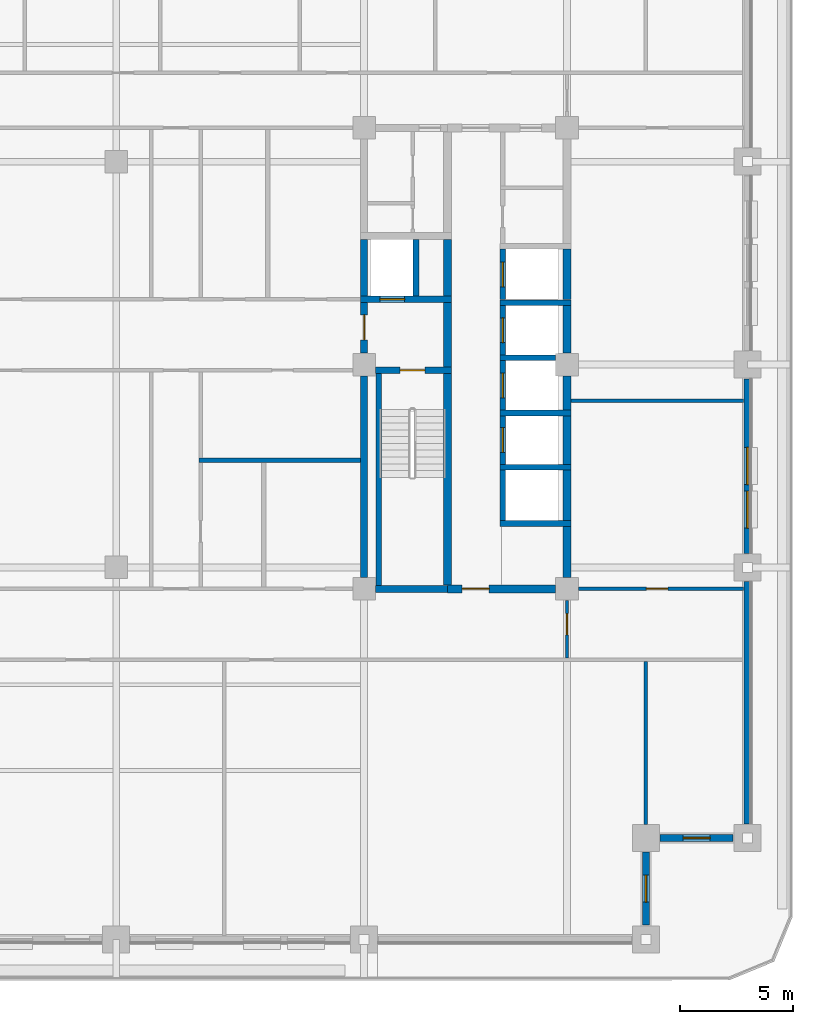
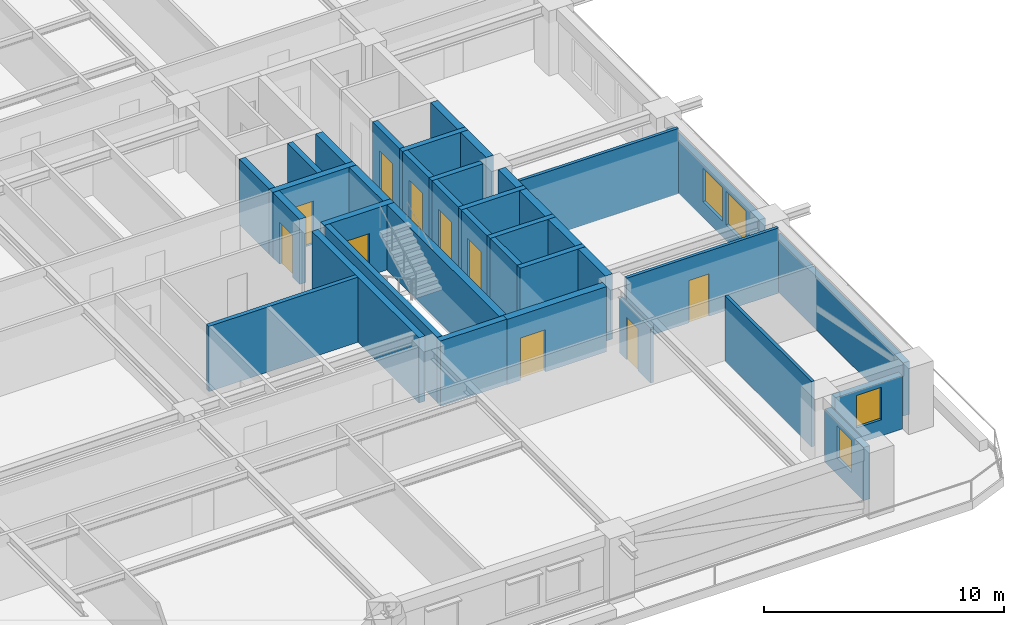
# One storey, part 4 of 14: 37 walls, 10 doors, 4 windows, 14 openings.
"""IFC4 building model written with IfcOpenShell, lengths in metres."""

import ifcopenshell
import ifcopenshell.guid

model = None  # the IFC model being written
_history = None  # IfcOwnerHistory: only IFC2X3 demands one
_inside = {}  # id of a spatial element -> (the spatial element, [elements in it])
_under = {}  # id of a project, library or spatial element -> (it, [spatial elements below it])
_declared = {}  # id of a project -> (the project, [libraries it declares])
_typed = {}  # id of a type object -> (the type object, [elements of that type])
_made_of = {}  # id of a material, layer set ... -> (it, [elements and type objects made of it])


def new_model(schema):
    """Start an empty IFC model of exactly this schema.

    Asked for "IFC4X3", IfcOpenShell would pick the latest addendum, in which some entities
    have other attributes; the version numbers below select the first issue.
    IFC2X3 requires an IfcOwnerHistory on every rooted entity: one is made here for all.
    """
    global model, _history
    if schema == "IFC4X3":
        model = ifcopenshell.file(schema_version=(4, 3, 0, 0))
    else:
        model = ifcopenshell.file(schema=schema)
    _inside.clear()
    _under.clear()
    _declared.clear()
    _typed.clear()
    _made_of.clear()
    _history = None
    if model.schema == "IFC2X3":
        org = make("IfcOrganization", Name="unknown")
        user = make(
            "IfcPersonAndOrganization",
            ThePerson=make("IfcPerson", FamilyName="unknown"),
            TheOrganization=org,
        )
        app = make(
            "IfcApplication",
            ApplicationDeveloper=org,
            Version="unknown",
            ApplicationFullName="unknown",
            ApplicationIdentifier="unknown",
        )
        _history = make(
            "IfcOwnerHistory",
            OwningUser=user,
            OwningApplication=app,
            ChangeAction="ADDED",
            CreationDate=0,
        )
    return model


def make(cls, **values):
    """One entity of the class cls with the attributes given. An attribute that is None is left unset."""
    return model.create_entity(
        cls, **{name: value for name, value in values.items() if value is not None}
    )


def rooted(cls, **values):
    """An entity with a GlobalId (a new one), such as an element, a storey or a relation."""
    return make(cls, GlobalId=ifcopenshell.guid.new(), OwnerHistory=_history, **values)


def si_unit(unit_type, name, prefix=None):
    """IfcSIUnit, for example si_unit("LENGTHUNIT", "METRE", prefix="MILLI")."""
    return make("IfcSIUnit", UnitType=unit_type, Prefix=prefix, Name=name)


def assignment(units):
    """IfcUnitAssignment: the units of a project."""
    return None if units is None else make("IfcUnitAssignment", Units=units)


def point(xyz):
    """IfcCartesianPoint."""
    return None if xyz is None else make("IfcCartesianPoint", Coordinates=xyz)


def direction(xyz):
    """IfcDirection."""
    return None if xyz is None else make("IfcDirection", DirectionRatios=xyz)


def frame(location, z_axis=None, x_axis=None):
    """IfcAxis2Placement3D, a coordinate frame: its origin and axes. An axis left out is left unset."""
    return make(
        "IfcAxis2Placement3D",
        Location=point(location),
        Axis=direction(z_axis),
        RefDirection=direction(x_axis),
    )


def frame_2d(location, x_axis=None):
    """IfcAxis2Placement2D, a coordinate frame in the plane: its origin and x axis."""
    return make(
        "IfcAxis2Placement2D", Location=point(location), RefDirection=direction(x_axis)
    )


def origin():
    """The frame at (0, 0, 0) with its axes left unset."""
    return frame((0.0, 0.0, 0.0))


def place(relative_to, where):
    """IfcLocalPlacement: puts the frame where relative to a parent placement (None: the world)."""
    return make(
        "IfcLocalPlacement", PlacementRelTo=relative_to, RelativePlacement=where
    )


def context(
    kind, dimensions, precision=None, world=None, true_north=None, identifier=None
):
    """IfcGeometricRepresentationContext, for example the 3D "Model" context."""
    return make(
        "IfcGeometricRepresentationContext",
        ContextIdentifier=identifier,
        ContextType=kind,
        CoordinateSpaceDimension=dimensions,
        Precision=precision,
        WorldCoordinateSystem=world,
        TrueNorth=true_north,
    )


def subcontext(parent, identifier, kind, view, scale=None):
    """IfcGeometricRepresentationSubContext, for example "Body" below "Model"."""
    return make(
        "IfcGeometricRepresentationSubContext",
        ContextIdentifier=identifier,
        ContextType=kind,
        ParentContext=parent,
        TargetScale=scale,
        TargetView=view,
    )


def project(units=None, contexts=None):
    """IfcProject with its units and contexts."""
    return rooted(
        "IfcProject",
        Name="project",
        RepresentationContexts=contexts,
        UnitsInContext=assignment(units),
    )


def spatial(cls, under=None, at=None, **own):
    """A site, building, storey or space (cls), placed at a placement, below another one or the project."""
    s = rooted(cls, ObjectPlacement=at, **own)
    if under is not None:
        _under.setdefault(under.id(), (under, []))[1].append(s)
    return s


def profile(cls, at=None, kind="AREA", **sizes):
    """A parametric profile (cls). Its sizes go by their IFC names, for example OverallWidth=200.0."""
    return make(cls, ProfileType=kind, Position=at, **sizes)


def rectangle(**sizes):
    """IfcRectangleProfileDef."""
    return profile("IfcRectangleProfileDef", **sizes)


def extrude(swept, where, along, depth):
    """IfcExtrudedAreaSolid: the profile swept, set in the frame where, extruded along a direction by depth."""
    return make(
        "IfcExtrudedAreaSolid",
        SweptArea=swept,
        Position=where,
        ExtrudedDirection=direction(along),
        Depth=depth,
    )


def shape(context_of_items, identifier, shape_type, items):
    """IfcShapeRepresentation: the items that make up one representation, for example the "Body"."""
    return make(
        "IfcShapeRepresentation",
        ContextOfItems=context_of_items,
        RepresentationIdentifier=identifier,
        RepresentationType=shape_type,
        Items=items,
    )


def material(Name=None, Category=None):
    """IfcMaterial."""
    return make("IfcMaterial", Name=Name, Category=Category)


def layer(
    of_material, thickness, ventilated=None, Name=None, Category=None, Priority=None
):
    """IfcMaterialLayer: one layer of a wall or slab, of a material (None: an air gap)."""
    return make(
        "IfcMaterialLayer",
        Material=of_material,
        LayerThickness=thickness,
        IsVentilated=ventilated,
        Name=Name,
        Category=Category,
        Priority=Priority,
    )


def layer_set(layers, Name=None):
    """IfcMaterialLayerSet."""
    return make("IfcMaterialLayerSet", MaterialLayers=layers, LayerSetName=Name)


def made_of(thing, what):
    """Note that an element or type object is made of a material, layer set ...; save() writes the relation."""
    if what is not None:
        _made_of.setdefault(what.id(), (what, []))[1].append(thing)
    return thing


def type_object(cls, material=None, **own):
    """A type object (cls), such as IfcWallType, which elements share."""
    return made_of(rooted(cls, **own), material)


def element(
    cls,
    number,
    at=None,
    inside=None,
    cuts=None,
    type_object=None,
    material=None,
    context=None,
    identifier="Body",
    shape_type=None,
    held_by="IfcProductDefinitionShape",
    body=None,
    shapes=None,
    **own,
):
    """One element of the class cls, such as IfcWall. Its Tag is "e" and its number.

    at: its placement. inside: the storey or other place that contains it. cuts: it is an
    opening in that element (IfcRelVoidsElement). A single representation is given by context,
    identifier, shape_type and body (its items); several are given by shapes. held_by: the class
    of the entity that holds the representations. save() writes the other relations.
    """
    e = rooted(cls, Tag="e%d" % number, ObjectPlacement=at, **own)
    if body is not None:
        shapes = [shape(context, identifier, shape_type, body)]
    if shapes is not None:
        e.Representation = make(held_by, Representations=shapes)
    if inside is not None:
        _inside.setdefault(inside.id(), (inside, []))[1].append(e)
    if cuts is not None:
        rooted(
            "IfcRelVoidsElement", RelatingBuildingElement=cuts, RelatedOpeningElement=e
        )
    if type_object is not None:
        _typed.setdefault(type_object.id(), (type_object, []))[1].append(e)
    return made_of(e, material)


def fill(opening, filler):
    """IfcRelFillsElement: the door or window that sits in an opening."""
    return rooted(
        "IfcRelFillsElement",
        RelatingOpeningElement=opening,
        RelatedBuildingElement=filler,
    )


def aggregate(whole, parts):
    """IfcRelAggregates: a whole, such as a stair, and the parts it consists of."""
    return rooted("IfcRelAggregates", RelatingObject=whole, RelatedObjects=parts)


def save(model, path):
    """Write the relations noted so far, then the file.

    IfcRelAggregates (storeys below a building ...), IfcRelContainedInSpatialStructure (elements
    in a storey), IfcRelDefinesByType, IfcRelAssociatesMaterial and IfcRelDeclares: one each for
    every whole, place, type object, material and project.
    """
    for whole, parts in _under.values():
        aggregate(whole, parts)
    for where, things in _inside.values():
        rooted(
            "IfcRelContainedInSpatialStructure",
            RelatedElements=things,
            RelatingStructure=where,
        )
    for kind, things in _typed.values():
        rooted("IfcRelDefinesByType", RelatedObjects=things, RelatingType=kind)
    for what, things in _made_of.values():
        rooted("IfcRelAssociatesMaterial", RelatedObjects=things, RelatingMaterial=what)
    for by, libraries in _declared.values():
        rooted("IfcRelDeclares", RelatingContext=by, RelatedDefinitions=libraries)
    model.write(path)


model = new_model("IFC4")

# Units and contexts
model_context = context("Model", 3, precision=1e-05, world=origin(), true_north=direction((0.0, 1.0)))
body_context = subcontext(model_context, "Body", "Model", "MODEL_VIEW")
ifc_project = project(units=[si_unit("LENGTHUNIT", "METRE"), si_unit("AREAUNIT", "SQUARE_METRE"), si_unit("VOLUMEUNIT", "CUBIC_METRE"), si_unit("PLANEANGLEUNIT", "RADIAN"), si_unit("MASSUNIT", "GRAM", prefix="KILO")], contexts=[model_context])

# Site, building, storey
site_placement = place(None, origin())
site = spatial("IfcSite", under=ifc_project, at=site_placement, CompositionType="ELEMENT")
building_placement = place(site_placement, origin())
building = spatial("IfcBuilding", under=site, at=building_placement, Name="Zulmaris Gate Convention Tower", CompositionType="ELEMENT")
storey_placement = place(building_placement, frame((0.0, 0.0, 102.06982421875)))
storey = spatial("IfcBuildingStorey", under=building, at=storey_placement, Name="L25", CompositionType="ELEMENT", Elevation=102.06982421875)

# Walls
ifc_material_1 = material(Name="Concrete C50/60", Category="concrete")
ifc_layer_1 = layer(ifc_material_1, 0.25, Name="Concrete C50/60")
ifc_layer_set_1 = layer_set([ifc_layer_1], Name="Concrete C50/60")
wall_type_1 = type_object("IfcWallType", Name="CORE-250", PredefinedType="SOLIDWALL", material=ifc_layer_set_1)
for number, where, z_axis, x_axis, name in (
    (1, (17.02490234375, -7.050048828125, 0.0), (0.0, 0.0, 1.0), (1.0, 0.0, 0.0), "WL-L25-005"),
    (2, (17.02490234375, -4.550048828125, 0.0), (0.0, 0.0, 1.0), (1.0, 0.0, 0.0), "WL-L25-006"),
    (3, (17.02490234375, -2.14990234375, 0.0), (0.0, 0.0, 1.0), (1.0, 0.0, 0.0), "WL-L25-007"),
):
    element("IfcWall", number, at=place(storey_placement, frame(where, z_axis=z_axis, x_axis=x_axis)), inside=storey, type_object=wall_type_1, Name=name, PredefinedType="SOLIDWALL", context=body_context, shape_type="SweptSolid", body=[
        extrude(rectangle(XDim=3.150146484375, YDim=0.25, at=frame_2d((1.5751953125, 0.0))), origin(), (0.0, 0.0, 1.0), 3.320068359375),
    ])
wall_1_placement = place(storey_placement, frame((17.02490234375, 0.300048828125, 0.0), z_axis=(0.0, 0.0, 1.0), x_axis=(1.0, 0.0, 0.0)))
element("IfcWall", 4, at=wall_1_placement, inside=storey, type_object=wall_type_1, Name="WL-L25-010", PredefinedType="SOLIDWALL", context=body_context, shape_type="SweptSolid", body=[
    extrude(rectangle(XDim=2.47119140625, YDim=0.25, at=frame_2d((1.235595703125, 0.0))), origin(), (0.0, 0.0, 1.0), 3.320068359375),
])
wall_2_placement = place(storey_placement, frame((17.02490234375, 2.75, 0.0), z_axis=(0.0, 0.0, 1.0), x_axis=(1.0, 0.0, 0.0)))
element("IfcWall", 5, at=wall_2_placement, inside=storey, type_object=wall_type_1, Name="WL-L25-011", PredefinedType="SOLIDWALL", context=body_context, shape_type="SweptSolid", body=[
    extrude(rectangle(XDim=3.150146484375, YDim=0.25, at=frame_2d((1.5751953125, 0.0))), origin(), (0.0, 0.0, 1.0), 3.320068359375),
])
wall_3_placement = place(storey_placement, frame((11.64990234375, -9.798095703125, 0.0), z_axis=(0.0, 0.0, 1.0), x_axis=(0.0, 1.0, 0.0)))
element("IfcWall", 6, at=wall_3_placement, inside=storey, type_object=wall_type_1, Name="WL-L25-054", PredefinedType="SOLIDWALL", context=body_context, shape_type="SweptSolid", body=[
    extrude(rectangle(XDim=9.39599609375, YDim=0.25, at=frame_2d((4.697998046875, 0.0))), origin(), (0.0, 0.0, 1.0), 3.320068359375),
])
wall_4_placement = place(storey_placement, frame((13.300048828125, 3.052001953125, 0.0), z_axis=(0.0, 0.0, 1.0), x_axis=(0.0, 1.0, 0.0)))
element("IfcWall", 7, at=wall_4_placement, inside=storey, type_object=wall_type_1, Name="WL-L25-055", PredefinedType="SOLIDWALL", context=body_context, shape_type="SweptSolid", body=[
    extrude(rectangle(XDim=2.49609375, YDim=0.25, at=frame_2d((1.248046875, 0.0))), origin(), (0.0, 0.0, 1.0), 3.320068359375),
])
wall_5_placement = place(storey_placement, frame((17.14990234375, -6.923095703125, 0.0), z_axis=(0.0, 0.0, 1.0), x_axis=(0.0, 1.0, 0.0)))
element("IfcWall", 8, at=wall_5_placement, inside=storey, type_object=wall_type_1, Name="WL-L25-060", PredefinedType="SOLIDWALL", context=body_context, shape_type="SweptSolid", body=[
    extrude(rectangle(XDim=2.24609375, YDim=0.25, at=frame_2d((1.123046875, 0.0))), origin(), (0.0, 0.0, 1.0), 3.320068359375),
])

# Wall, opening, door
wall_6_placement = place(storey_placement, frame((17.14990234375, -4.423095703125, 0.0), z_axis=(0.0, 0.0, 1.0), x_axis=(0.0, 1.0, 0.0)))
wall_6 = element("IfcWall", 9, at=wall_6_placement, inside=storey, type_object=wall_type_1, Name="WL-L25-061", PredefinedType="SOLIDWALL", context=body_context, shape_type="SweptSolid", body=[
    extrude(rectangle(XDim=2.14599609375, YDim=0.25, at=frame_2d((1.072998046875, 0.0))), origin(), (0.0, 0.0, 1.0), 3.320068359375),
])
opening_1_placement = place(wall_6_placement, frame((0.52294921875, 0.0, 0.0)))
opening_1 = element("IfcOpeningElement", 10, at=opening_1_placement, cuts=wall_6, Name="Opening D-06", PredefinedType="OPENING", context=body_context, shape_type="SweptSolid", body=[
    extrude(rectangle(XDim=1.10009765625, YDim=2.199951171875, at=frame_2d((0.550048828125, 1.10009765625))), frame((0.0, 0.135009765625, 0.0), z_axis=(0.0, -1.0, 0.0), x_axis=(1.0, 0.0, 0.0)), (0.0, 0.0, 1.0), 0.27001953125),
])
ifc_material_2 = material(Name="Brushed Stainless Steel", Category="steel")
door_type_1 = type_object("IfcDoorType", Name="LD-1100", OperationType="NOTDEFINED", PredefinedType="DOOR", material=ifc_material_2)
door_1_placement = place(opening_1_placement, origin())
door_1 = element("IfcDoor", 11, at=door_1_placement, inside=storey, type_object=door_type_1, Name="L25 Lift Landing Door MP-01 17", OperationType="SLIDING_TO_RIGHT", OverallHeight=2.199951171875, OverallWidth=1.10009765625, PredefinedType="DOOR", context=body_context, shape_type="SweptSolid", body=[
    extrude(rectangle(XDim=1.10009765625, YDim=2.199951171875, at=frame_2d((0.550048828125, 1.10009765625))), frame((0.0, 0.02490234375, 0.0), z_axis=(0.0, -1.0, 0.0), x_axis=(1.0, 0.0, 0.0)), (0.0, 0.0, 1.0), 0.050048828125),
])
fill(opening_1, door_1)

wall_7_placement = place(storey_placement, frame((17.14990234375, -2.02294921875, 0.0), z_axis=(0.0, 0.0, 1.0), x_axis=(0.0, 1.0, 0.0)))
wall_7 = element("IfcWall", 12, at=wall_7_placement, inside=storey, type_object=wall_type_1, Name="WL-L25-062", PredefinedType="SOLIDWALL", context=body_context, shape_type="SweptSolid", body=[
    extrude(rectangle(XDim=2.196044921875, YDim=0.25, at=frame_2d((1.09814453125, 0.0))), origin(), (0.0, 0.0, 1.0), 3.320068359375),
])
opening_2_placement = place(wall_7_placement, frame((0.548095703125, 0.0, 0.0)))
opening_2 = element("IfcOpeningElement", 13, at=opening_2_placement, cuts=wall_7, Name="Opening D-06", PredefinedType="OPENING", context=body_context, shape_type="SweptSolid", body=[
    extrude(rectangle(XDim=1.10009765625, YDim=2.199951171875, at=frame_2d((0.550048828125, 1.10009765625))), frame((0.0, 0.135009765625, 0.0), z_axis=(0.0, -1.0, 0.0), x_axis=(1.0, 0.0, 0.0)), (0.0, 0.0, 1.0), 0.27001953125),
])
door_2_placement = place(opening_2_placement, origin())
door_2 = element("IfcDoor", 14, at=door_2_placement, inside=storey, type_object=door_type_1, Name="L25 Lift Landing Door MP-02 18", OperationType="SLIDING_TO_RIGHT", OverallHeight=2.199951171875, OverallWidth=1.10009765625, PredefinedType="DOOR", context=body_context, shape_type="SweptSolid", body=[
    extrude(rectangle(XDim=1.10009765625, YDim=2.199951171875, at=frame_2d((0.550048828125, 1.10009765625))), frame((0.0, 0.02490234375, 0.0), z_axis=(0.0, -1.0, 0.0), x_axis=(1.0, 0.0, 0.0)), (0.0, 0.0, 1.0), 0.050048828125),
])
fill(opening_2, door_2)

wall_8_placement = place(storey_placement, frame((17.14990234375, 0.427001953125, 0.0), z_axis=(0.0, 0.0, 1.0), x_axis=(0.0, 1.0, 0.0)))
wall_8 = element("IfcWall", 15, at=wall_8_placement, inside=storey, type_object=wall_type_1, Name="WL-L25-063", PredefinedType="SOLIDWALL", context=body_context, shape_type="SweptSolid", body=[
    extrude(rectangle(XDim=2.196044921875, YDim=0.25, at=frame_2d((1.09814453125, 0.0))), origin(), (0.0, 0.0, 1.0), 3.320068359375),
])
opening_3_placement = place(wall_8_placement, frame((0.548095703125, 0.0, 0.0)))
opening_3 = element("IfcOpeningElement", 16, at=opening_3_placement, cuts=wall_8, Name="Opening D-06", PredefinedType="OPENING", context=body_context, shape_type="SweptSolid", body=[
    extrude(rectangle(XDim=1.10009765625, YDim=2.199951171875, at=frame_2d((0.550048828125, 1.10009765625))), frame((0.0, 0.135009765625, 0.0), z_axis=(0.0, -1.0, 0.0), x_axis=(1.0, 0.0, 0.0)), (0.0, 0.0, 1.0), 0.27001953125),
])
door_3_placement = place(opening_3_placement, origin())
door_3 = element("IfcDoor", 17, at=door_3_placement, inside=storey, type_object=door_type_1, Name="L25 Lift Landing Door MP-03 19", OperationType="SLIDING_TO_RIGHT", OverallHeight=2.199951171875, OverallWidth=1.10009765625, PredefinedType="DOOR", context=body_context, shape_type="SweptSolid", body=[
    extrude(rectangle(XDim=1.10009765625, YDim=2.199951171875, at=frame_2d((0.550048828125, 1.10009765625))), frame((0.0, 0.02490234375, 0.0), z_axis=(0.0, -1.0, 0.0), x_axis=(1.0, 0.0, 0.0)), (0.0, 0.0, 1.0), 0.050048828125),
])
fill(opening_3, door_3)

wall_9_placement = place(storey_placement, frame((17.14990234375, 2.876953125, 0.0), z_axis=(0.0, 0.0, 1.0), x_axis=(0.0, 1.0, 0.0)))
wall_9 = element("IfcWall", 18, at=wall_9_placement, inside=storey, type_object=wall_type_1, Name="WL-L25-064", PredefinedType="SOLIDWALL", context=body_context, shape_type="SweptSolid", body=[
    extrude(rectangle(XDim=2.24609375, YDim=0.25, at=frame_2d((1.123046875, 0.0))), origin(), (0.0, 0.0, 1.0), 3.320068359375),
])
opening_4_placement = place(wall_9_placement, frame((0.572998046875, 0.0, 0.0)))
opening_4 = element("IfcOpeningElement", 19, at=opening_4_placement, cuts=wall_9, Name="Opening D-06", PredefinedType="OPENING", context=body_context, shape_type="SweptSolid", body=[
    extrude(rectangle(XDim=1.10009765625, YDim=2.199951171875, at=frame_2d((0.550048828125, 1.10009765625))), frame((0.0, 0.135009765625, 0.0), z_axis=(0.0, -1.0, 0.0), x_axis=(1.0, 0.0, 0.0)), (0.0, 0.0, 1.0), 0.27001953125),
])
door_4_placement = place(opening_4_placement, origin())
door_4 = element("IfcDoor", 20, at=door_4_placement, inside=storey, type_object=door_type_1, Name="L25 Lift Landing Door MP-04 20", OperationType="SLIDING_TO_RIGHT", OverallHeight=2.199951171875, OverallWidth=1.10009765625, PredefinedType="DOOR", context=body_context, shape_type="SweptSolid", body=[
    extrude(rectangle(XDim=1.10009765625, YDim=2.199951171875, at=frame_2d((0.550048828125, 1.10009765625))), frame((0.0, 0.02490234375, 0.0), z_axis=(0.0, -1.0, 0.0), x_axis=(1.0, 0.0, 0.0)), (0.0, 0.0, 1.0), 0.050048828125),
])
fill(opening_4, door_4)

# Wall
ifc_layer_2 = layer(ifc_material_1, 0.300048828125, Name="Concrete C50/60")
ifc_layer_set_2 = layer_set([ifc_layer_2], Name="Concrete C50/60")
wall_type_2 = type_object("IfcWallType", Name="CORE-300", PredefinedType="SHEAR", material=ifc_layer_set_2)
wall_10_placement = place(storey_placement, frame((11.50390625, -9.949951171875, 0.0), z_axis=(0.0, 0.0, 1.0), x_axis=(1.0, 0.0, 0.0)))
element("IfcWall", 21, at=wall_10_placement, inside=storey, type_object=wall_type_2, Name="WL-L25-003", PredefinedType="SHEAR", context=body_context, shape_type="SweptSolid", body=[
    extrude(rectangle(XDim=3.196044921875, YDim=0.300048828125, at=frame_2d((1.59814453125, 0.0))), origin(), (0.0, 0.0, 1.0), 3.320068359375),
])

# Wall, opening, door
wall_11_placement = place(storey_placement, frame((11.50390625, -0.25, 0.0), z_axis=(0.0, 0.0, 1.0), x_axis=(1.0, 0.0, 0.0)))
wall_11 = element("IfcWall", 22, at=wall_11_placement, inside=storey, type_object=wall_type_2, Name="WL-L25-009", PredefinedType="SHEAR", context=body_context, shape_type="SweptSolid", body=[
    extrude(rectangle(XDim=3.37109375, YDim=0.300048828125, at=frame_2d((1.685546875, 0.0))), origin(), (0.0, 0.0, 1.0), 3.320068359375),
])
opening_5_placement = place(wall_11_placement, frame((1.095947265625, 0.0, 0.0)))
opening_5 = element("IfcOpeningElement", 23, at=opening_5_placement, cuts=wall_11, Name="Opening D-08", PredefinedType="OPENING", context=body_context, shape_type="SweptSolid", body=[
    extrude(rectangle(XDim=1.10009765625, YDim=2.14990234375, at=frame_2d((0.550048828125, 1.074951171875))), frame((0.0, 0.16015625, 0.0), z_axis=(0.0, -1.0, 0.0), x_axis=(1.0, 0.0, 0.0)), (0.0, 0.0, 1.0), 0.320068359375),
])
ifc_material_3 = material(Name="Fire-Rated Steel", Category="steel")
door_type_2 = type_object("IfcDoorType", Name="DR-1100-FD", OperationType="NOTDEFINED", PredefinedType="DOOR", material=ifc_material_3)
door_5_placement = place(opening_5_placement, origin())
door_5 = element("IfcDoor", 24, at=door_5_placement, inside=storey, type_object=door_type_2, Name="L25 Exit Stair ST-2 Door 04", OperationType="SINGLE_SWING_RIGHT", OverallHeight=2.14990234375, OverallWidth=1.10009765625, PredefinedType="DOOR", context=body_context, shape_type="SweptSolid", body=[
    extrude(rectangle(XDim=1.10009765625, YDim=2.14990234375, at=frame_2d((0.550048828125, 1.074951171875))), frame((0.0, 0.02490234375, 0.0), z_axis=(0.0, -1.0, 0.0), x_axis=(1.0, 0.0, 0.0)), (0.0, 0.0, 1.0), 0.050048828125),
])
fill(opening_5, door_5)

wall_12_placement = place(storey_placement, frame((10.85009765625, 2.89990234375, 0.0), z_axis=(0.0, 0.0, 1.0), x_axis=(1.0, 0.0, 0.0)))
wall_12 = element("IfcWall", 25, at=wall_12_placement, inside=storey, type_object=wall_type_2, Name="WL-L25-013", PredefinedType="SHEAR", context=body_context, shape_type="SweptSolid", body=[
    extrude(rectangle(XDim=4.02490234375, YDim=0.300048828125, at=frame_2d((2.012451171875, 0.0))), origin(), (0.0, 0.0, 1.0), 3.320068359375),
])
opening_6_placement = place(wall_12_placement, frame((0.85009765625, 0.0, 0.0)))
opening_6 = element("IfcOpeningElement", 26, at=opening_6_placement, cuts=wall_12, Name="Opening D-06", PredefinedType="OPENING", context=body_context, shape_type="SweptSolid", body=[
    extrude(rectangle(XDim=1.10009765625, YDim=2.199951171875, at=frame_2d((0.550048828125, 1.10009765625))), frame((0.0, 0.16015625, 0.0), z_axis=(0.0, -1.0, 0.0), x_axis=(1.0, 0.0, 0.0)), (0.0, 0.0, 1.0), 0.320068359375),
])
door_6_placement = place(opening_6_placement, origin())
door_6 = element("IfcDoor", 27, at=door_6_placement, inside=storey, type_object=door_type_1, Name="L25 Lift Landing Door LF-02 06", OperationType="SLIDING_TO_RIGHT", OverallHeight=2.199951171875, OverallWidth=1.10009765625, PredefinedType="DOOR", context=body_context, shape_type="SweptSolid", body=[
    extrude(rectangle(XDim=1.10009765625, YDim=2.199951171875, at=frame_2d((0.550048828125, 1.10009765625))), frame((0.0, 0.02490234375, 0.0), z_axis=(0.0, -1.0, 0.0), x_axis=(1.0, 0.0, 0.0)), (0.0, 0.0, 1.0), 0.050048828125),
])
fill(opening_6, door_6)

# Wall
wall_13_placement = place(storey_placement, frame((11.0, -9.446044921875, 0.0), z_axis=(0.0, 0.0, 1.0), x_axis=(0.0, 1.0, 0.0)))
element("IfcWall", 28, at=wall_13_placement, inside=storey, type_object=wall_type_2, Name="WL-L25-050", PredefinedType="SHEAR", context=body_context, shape_type="SweptSolid", body=[
    extrude(rectangle(XDim=8.942138671875, YDim=0.300048828125, at=frame_2d((4.47119140625, 0.0))), origin(), (0.0, 0.0, 1.0), 3.320068359375),
])

# Wall, opening, door
wall_14_placement = place(storey_placement, frame((11.0, 0.50390625, 0.0), z_axis=(0.0, 0.0, 1.0), x_axis=(0.0, 1.0, 0.0)))
wall_14 = element("IfcWall", 29, at=wall_14_placement, inside=storey, type_object=wall_type_2, Name="WL-L25-051", PredefinedType="SHEAR", context=body_context, shape_type="SweptSolid", body=[
    extrude(rectangle(XDim=2.244140625, YDim=0.300048828125, at=frame_2d((1.1220703125, 0.0))), origin(), (0.0, 0.0, 1.0), 3.320068359375),
])
opening_7_placement = place(wall_14_placement, frame((0.595947265625, 0.0, 0.0)))
opening_7 = element("IfcOpeningElement", 30, at=opening_7_placement, cuts=wall_14, Name="Opening D-08", PredefinedType="OPENING", context=body_context, shape_type="SweptSolid", body=[
    extrude(rectangle(XDim=1.10009765625, YDim=2.14990234375, at=frame_2d((0.550048828125, 1.074951171875))), frame((0.0, 0.16015625, 0.0), z_axis=(0.0, -1.0, 0.0), x_axis=(1.0, 0.0, 0.0)), (0.0, 0.0, 1.0), 0.320068359375),
])
door_7_placement = place(opening_7_placement, origin())
door_7 = element("IfcDoor", 31, at=door_7_placement, inside=storey, type_object=door_type_2, Name="L25 East Firefighting Lobby Door 05", OperationType="SINGLE_SWING_LEFT", OverallHeight=2.14990234375, OverallWidth=1.10009765625, PredefinedType="DOOR", context=body_context, shape_type="SweptSolid", body=[
    extrude(rectangle(XDim=1.10009765625, YDim=2.14990234375, at=frame_2d((0.550048828125, 1.074951171875))), frame((0.0, 0.02490234375, 0.0), z_axis=(0.0, -1.0, 0.0), x_axis=(1.0, 0.0, 0.0)), (0.0, 0.0, 1.0), 0.050048828125),
])
fill(opening_7, door_7)

# Wall
wall_15_placement = place(storey_placement, frame((11.0, 3.052001953125, 0.0), z_axis=(0.0, 0.0, 1.0), x_axis=(0.0, 1.0, 0.0)))
element("IfcWall", 32, at=wall_15_placement, inside=storey, type_object=wall_type_2, Name="WL-L25-052", PredefinedType="SHEAR", context=body_context, shape_type="SweptSolid", body=[
    extrude(rectangle(XDim=2.49609375, YDim=0.300048828125, at=frame_2d((1.248046875, 0.0))), origin(), (0.0, 0.0, 1.0), 3.320068359375),
])

# Wall, opening, door
ifc_material_4 = material(Name="Concrete C55/67", Category="concrete")
ifc_layer_3 = layer(ifc_material_4, 0.35009765625, Name="Concrete C55/67")
ifc_layer_set_3 = layer_set([ifc_layer_3], Name="Concrete C55/67")
wall_type_3 = type_object("IfcWallType", Name="CORE-350", PredefinedType="SHEAR", material=ifc_layer_set_3)
wall_16_placement = place(storey_placement, frame((14.699951171875, -9.949951171875, 0.0), z_axis=(0.0, 0.0, 1.0), x_axis=(1.0, 0.0, 0.0)))
wall_16 = element("IfcWall", 33, at=wall_16_placement, inside=storey, type_object=wall_type_3, Name="WL-L25-004", PredefinedType="SHEAR", context=body_context, shape_type="SweptSolid", body=[
    extrude(rectangle(XDim=4.796142578125, YDim=0.35009765625, at=frame_2d((2.39794921875, 0.0))), origin(), (0.0, 0.0, 1.0), 3.320068359375),
])
opening_8_placement = place(wall_16_placement, frame((0.64990234375, 0.0, 0.0)))
opening_8 = element("IfcOpeningElement", 34, at=opening_8_placement, cuts=wall_16, Name="Opening D-13", PredefinedType="OPENING", context=body_context, shape_type="SweptSolid", body=[
    extrude(rectangle(XDim=1.199951171875, YDim=2.14990234375, at=frame_2d((0.60009765625, 1.074951171875))), frame((0.0, 0.18505859375, 0.0), z_axis=(0.0, -1.0, 0.0), x_axis=(1.0, 0.0, 0.0)), (0.0, 0.0, 1.0), 0.3701171875),
])
door_type_3 = type_object("IfcDoorType", Name="DR-1200-FD", OperationType="NOTDEFINED", PredefinedType="DOOR", material=ifc_material_3)
door_8_placement = place(opening_8_placement, origin())
door_8 = element("IfcDoor", 35, at=door_8_placement, inside=storey, type_object=door_type_3, Name="L25 East Lift Lobby South Door 21", OperationType="SINGLE_SWING_RIGHT", OverallHeight=2.14990234375, OverallWidth=1.199951171875, PredefinedType="DOOR", context=body_context, shape_type="SweptSolid", body=[
    extrude(rectangle(XDim=1.199951171875, YDim=2.14990234375, at=frame_2d((0.60009765625, 1.074951171875))), frame((0.0, 0.02490234375, 0.0), z_axis=(0.0, -1.0, 0.0), x_axis=(1.0, 0.0, 0.0)), (0.0, 0.0, 1.0), 0.050048828125),
])
fill(opening_8, door_8)

# Walls
wall_17_placement = place(storey_placement, frame((14.699951171875, -9.77294921875, 0.0), z_axis=(0.0, 0.0, 1.0), x_axis=(0.0, 1.0, 0.0)))
element("IfcWall", 36, at=wall_17_placement, inside=storey, type_object=wall_type_3, Name="WL-L25-056", PredefinedType="SHEAR", context=body_context, shape_type="SweptSolid", body=[
    extrude(rectangle(XDim=9.370849609375, YDim=0.35009765625, at=frame_2d((4.685546875, 0.0))), origin(), (0.0, 0.0, 1.0), 3.320068359375),
])
wall_18_placement = place(storey_placement, frame((14.699951171875, -0.097900390625, 0.0), z_axis=(0.0, 0.0, 1.0), x_axis=(0.0, 1.0, 0.0)))
element("IfcWall", 37, at=wall_18_placement, inside=storey, type_object=wall_type_3, Name="WL-L25-057", PredefinedType="SHEAR", context=body_context, shape_type="SweptSolid", body=[
    extrude(rectangle(XDim=2.845947265625, YDim=0.35009765625, at=frame_2d((1.4228515625, 0.0))), origin(), (0.0, 0.0, 1.0), 3.320068359375),
])
wall_19_placement = place(storey_placement, frame((14.699951171875, 3.052001953125, 0.0), z_axis=(0.0, 0.0, 1.0), x_axis=(0.0, 1.0, 0.0)))
element("IfcWall", 38, at=wall_19_placement, inside=storey, type_object=wall_type_3, Name="WL-L25-058", PredefinedType="SHEAR", context=body_context, shape_type="SweptSolid", body=[
    extrude(rectangle(XDim=2.49609375, YDim=0.35009765625, at=frame_2d((1.248046875, 0.0))), origin(), (0.0, 0.0, 1.0), 3.320068359375),
])
wall_20_placement = place(storey_placement, frame((20.0, -9.446044921875, 0.0), z_axis=(0.0, 0.0, 1.0), x_axis=(0.0, 1.0, 0.0)))
element("IfcWall", 39, at=wall_20_placement, inside=storey, type_object=wall_type_3, Name="WL-L25-065", PredefinedType="SHEAR", context=body_context, shape_type="SweptSolid", body=[
    extrude(rectangle(XDim=2.26904296875, YDim=0.35009765625, at=frame_2d((1.134521484375, 0.0))), origin(), (0.0, 0.0, 1.0), 3.320068359375),
])
wall_21_placement = place(storey_placement, frame((20.0, -6.923095703125, 0.0), z_axis=(0.0, 0.0, 1.0), x_axis=(0.0, 1.0, 0.0)))
element("IfcWall", 40, at=wall_21_placement, inside=storey, type_object=wall_type_3, Name="WL-L25-066", PredefinedType="SHEAR", context=body_context, shape_type="SweptSolid", body=[
    extrude(rectangle(XDim=2.24609375, YDim=0.35009765625, at=frame_2d((1.123046875, 0.0))), origin(), (0.0, 0.0, 1.0), 3.320068359375),
])
wall_22_placement = place(storey_placement, frame((20.0, -4.423095703125, 0.0), z_axis=(0.0, 0.0, 1.0), x_axis=(0.0, 1.0, 0.0)))
element("IfcWall", 41, at=wall_22_placement, inside=storey, type_object=wall_type_3, Name="WL-L25-067", PredefinedType="SHEAR", context=body_context, shape_type="SweptSolid", body=[
    extrude(rectangle(XDim=2.14599609375, YDim=0.35009765625, at=frame_2d((1.072998046875, 0.0))), origin(), (0.0, 0.0, 1.0), 3.320068359375),
])
wall_23_placement = place(storey_placement, frame((20.0, -2.02294921875, 0.0), z_axis=(0.0, 0.0, 1.0), x_axis=(0.0, 1.0, 0.0)))
element("IfcWall", 42, at=wall_23_placement, inside=storey, type_object=wall_type_3, Name="WL-L25-068", PredefinedType="SHEAR", context=body_context, shape_type="SweptSolid", body=[
    extrude(rectangle(XDim=1.51904296875, YDim=0.35009765625, at=frame_2d((0.759521484375, 0.0))), origin(), (0.0, 0.0, 1.0), 3.320068359375),
])
wall_24_placement = place(storey_placement, frame((20.0, 0.50390625, 0.0), z_axis=(0.0, 0.0, 1.0), x_axis=(0.0, 1.0, 0.0)))
element("IfcWall", 43, at=wall_24_placement, inside=storey, type_object=wall_type_3, Name="WL-L25-069", PredefinedType="SHEAR", context=body_context, shape_type="SweptSolid", body=[
    extrude(rectangle(XDim=2.119140625, YDim=0.35009765625, at=frame_2d((1.0595703125, 0.0))), origin(), (0.0, 0.0, 1.0), 3.320068359375),
])
wall_25_placement = place(storey_placement, frame((20.0, 2.876953125, 0.0), z_axis=(0.0, 0.0, 1.0), x_axis=(0.0, 1.0, 0.0)))
element("IfcWall", 44, at=wall_25_placement, inside=storey, type_object=wall_type_3, Name="WL-L25-070", PredefinedType="SHEAR", context=body_context, shape_type="SweptSolid", body=[
    extrude(rectangle(XDim=2.24609375, YDim=0.35009765625, at=frame_2d((1.123046875, 0.0))), origin(), (0.0, 0.0, 1.0), 3.320068359375),
])

# Wall, opening, door
ifc_material_5 = material(Name="Gypsum Metal Stud Partition")
ifc_layer_4 = layer(ifc_material_5, 0.14990234375, Name="Gypsum Metal Stud Partition")
ifc_layer_set_4 = layer_set([ifc_layer_4], Name="Gypsum Metal Stud Partition")
wall_type_4 = type_object("IfcWallType", Name="PART-150", PredefinedType="PARTITIONING", material=ifc_layer_set_4)
wall_26_placement = place(storey_placement, frame((20.506103515625, -9.949951171875, 0.0), z_axis=(0.0, 0.0, 1.0), x_axis=(1.0, 0.0, 0.0)))
wall_26 = element("IfcWall", 45, at=wall_26_placement, inside=storey, type_object=wall_type_4, Name="WL-L25-024", PredefinedType="PARTITIONING", context=body_context, shape_type="SweptSolid", body=[
    extrude(rectangle(XDim=7.328857421875, YDim=0.14990234375, at=frame_2d((3.66455078125, 0.0))), origin(), (0.0, 0.0, 1.0), 3.320068359375),
])
opening_9_placement = place(wall_26_placement, frame((3.01904296875, 0.0, 0.0)))
opening_9 = element("IfcOpeningElement", 46, at=opening_9_placement, cuts=wall_26, Name="Opening D-11", PredefinedType="OPENING", context=body_context, shape_type="SweptSolid", body=[
    extrude(rectangle(XDim=0.949951171875, YDim=2.14990234375, at=frame_2d((0.47509765625, 1.074951171875))), frame((0.0, 0.0849609375, 0.0), z_axis=(0.0, -1.0, 0.0), x_axis=(1.0, 0.0, 0.0)), (0.0, 0.0, 1.0), 0.169921875),
])
ifc_material_6 = material(Name="Fire-Rated Timber", Category="wood")
door_type_4 = type_object("IfcDoorType", Name="DR-950-FD", OperationType="NOTDEFINED", PredefinedType="DOOR", material=ifc_material_6)
door_9_placement = place(opening_9_placement, origin())
door_9 = element("IfcDoor", 47, at=door_9_placement, inside=storey, type_object=door_type_4, Name="L25 SE Partner Door 52", OperationType="SINGLE_SWING_LEFT", OverallHeight=2.14990234375, OverallWidth=0.949951171875, PredefinedType="DOOR", context=body_context, shape_type="SweptSolid", body=[
    extrude(rectangle(XDim=0.949951171875, YDim=2.14990234375, at=frame_2d((0.47509765625, 1.074951171875))), frame((0.0, 0.02490234375, 0.0), z_axis=(0.0, -1.0, 0.0), x_axis=(1.0, 0.0, 0.0)), (0.0, 0.0, 1.0), 0.050048828125),
])
fill(opening_9, door_9)

# Wall
wall_27_placement = place(storey_placement, frame((20.177978515625, -1.60009765625, 0.0), z_axis=(0.0, 0.0, 1.0), x_axis=(1.0, 0.0, 0.0)))
element("IfcWall", 48, at=wall_27_placement, inside=storey, type_object=wall_type_4, Name="WL-L25-026", PredefinedType="PARTITIONING", context=body_context, shape_type="SweptSolid", body=[
    extrude(rectangle(XDim=7.656982421875, YDim=0.14990234375, at=frame_2d((3.82861328125, 0.0))), origin(), (0.0, 0.0, 1.0), 3.320068359375),
])

# Wall, opening, door
wall_28_placement = place(storey_placement, frame((20.0, -13.02197265625, 0.0), z_axis=(0.0, 0.0, 1.0), x_axis=(0.0, 1.0, 0.0)))
wall_28 = element("IfcWall", 49, at=wall_28_placement, inside=storey, type_object=wall_type_4, Name="WL-L25-098", PredefinedType="PARTITIONING", context=body_context, shape_type="SweptSolid", body=[
    extrude(rectangle(XDim=2.56591796875, YDim=0.14990234375, at=frame_2d((1.282958984375, 0.0))), origin(), (0.0, 0.0, 1.0), 2.81005859375),
])
opening_10_placement = place(wall_28_placement, frame((1.027099609375, 0.0, 0.0)))
opening_10 = element("IfcOpeningElement", 50, at=opening_10_placement, cuts=wall_28, Name="Opening D-11", PredefinedType="OPENING", context=body_context, shape_type="SweptSolid", body=[
    extrude(rectangle(XDim=0.949951171875, YDim=2.14990234375, at=frame_2d((0.47509765625, 1.074951171875))), frame((0.0, 0.0849609375, 0.0), z_axis=(0.0, -1.0, 0.0), x_axis=(1.0, 0.0, 0.0)), (0.0, 0.0, 1.0), 0.169921875),
])
door_10_placement = place(opening_10_placement, origin())
door_10 = element("IfcDoor", 51, at=door_10_placement, inside=storey, type_object=door_type_4, Name="L25 SE Spur Door 50", OperationType="SINGLE_SWING_LEFT", OverallHeight=2.14990234375, OverallWidth=0.949951171875, PredefinedType="DOOR", context=body_context, shape_type="SweptSolid", body=[
    extrude(rectangle(XDim=0.949951171875, YDim=2.14990234375, at=frame_2d((0.47509765625, 1.074951171875))), frame((0.0, 0.02490234375, 0.0), z_axis=(0.0, -1.0, 0.0), x_axis=(1.0, 0.0, 0.0)), (0.0, 0.0, 1.0), 0.050048828125),
])
fill(opening_10, door_10)

# Walls
wall_29_placement = place(storey_placement, frame((23.5, -20.39404296875, 0.0), z_axis=(0.0, 0.0, 1.0), x_axis=(0.0, 1.0, 0.0)))
element("IfcWall", 52, at=wall_29_placement, inside=storey, type_object=wall_type_4, Name="WL-L25-100", PredefinedType="PARTITIONING", context=body_context, shape_type="SweptSolid", body=[
    extrude(rectangle(XDim=7.216064453125, YDim=0.14990234375, at=frame_2d((3.60791015625, 0.0))), origin(), (0.0, 0.0, 1.0), 3.320068359375),
])
ifc_material_7 = material(Name="Autoclaved Aerated Concrete Block and Plasterboard", Category="concrete")
ifc_layer_5 = layer(ifc_material_7, 0.199951171875, Name="Autoclaved Aerated Concrete Block and Plasterboard")
ifc_layer_set_5 = layer_set([ifc_layer_5], Name="Autoclaved Aerated Concrete Block and Plasterboard")
wall_type_5 = type_object("IfcWallType", Name="PART-200", PredefinedType="PARTITIONING", material=ifc_layer_set_5)
wall_30_placement = place(storey_placement, frame((3.675048828125, -4.25, 0.0), z_axis=(0.0, 0.0, 1.0), x_axis=(1.0, 0.0, 0.0)))
element("IfcWall", 53, at=wall_30_placement, inside=storey, type_object=wall_type_5, Name="WL-L25-025", PredefinedType="PARTITIONING", context=body_context, shape_type="SweptSolid", body=[
    extrude(rectangle(XDim=7.171875, YDim=0.199951171875, at=frame_2d((3.5859375, 0.0))), origin(), (0.0, 0.0, 1.0), 3.320068359375),
])

# Wall, opening, window
ifc_material_8 = material(Name="Precast concrete C40/50", Category="concrete")
ifc_layer_6 = layer(ifc_material_8, 0.300048828125, Name="Precast concrete C40/50")
ifc_layer_set_6 = layer_set([ifc_layer_6], Name="Precast concrete C40/50")
wall_type_6 = type_object("IfcWallType", Name="PRECAST-PIER-300", PredefinedType="STANDARD", material=ifc_layer_set_6)
wall_31_placement = place(storey_placement, frame((23.5, -24.8701171875, 0.0), z_axis=(0.0, 0.0, 1.0), x_axis=(0.0, 1.0, 0.0)))
wall_31 = element("IfcWall", 54, at=wall_31_placement, inside=storey, type_object=wall_type_6, Name="EW-L25-NOTCH-SE1_0", PredefinedType="STANDARD", context=body_context, shape_type="SweptSolid", body=[
    extrude(rectangle(XDim=3.240234375, YDim=0.300048828125, at=frame_2d((1.6201171875, 0.0))), origin(), (0.0, 0.0, 1.0), 2.712158203125),
])
opening_11_placement = place(wall_31_placement, frame((1.02001953125, 0.0, 0.820068359375)))
opening_11 = element("IfcOpeningElement", 55, at=opening_11_placement, cuts=wall_31, Name="Opening W-04", PredefinedType="OPENING", context=body_context, shape_type="SweptSolid", body=[
    extrude(rectangle(XDim=1.199951171875, YDim=1.64990234375, at=frame_2d((0.60009765625, 0.824951171875))), frame((0.0, 0.16015625, 0.0), z_axis=(0.0, -1.0, 0.0), x_axis=(1.0, 0.0, 0.0)), (0.0, 0.0, 1.0), 0.320068359375),
])
ifc_material_9 = material(Name="Low-E Laminated Double Glazing in Aluminium Frame", Category="aluminium")
window_type_1 = type_object("IfcWindowType", Name="WIN-1200x2100", PartitioningType="SINGLE_PANEL", PredefinedType="WINDOW", material=ifc_material_9)
window_1_placement = place(opening_11_placement, origin())
window_1 = element("IfcWindow", 56, at=window_1_placement, inside=storey, type_object=window_type_1, Name="WN-EW-L25-NOTCH-SE1_0", OverallHeight=1.64990234375, OverallWidth=1.199951171875, PartitioningType="SINGLE_PANEL", PredefinedType="WINDOW", context=body_context, shape_type="SweptSolid", body=[
    extrude(rectangle(XDim=1.199951171875, YDim=1.64990234375, at=frame_2d((0.60009765625, 0.824951171875))), frame((0.0, 0.030029296875, 0.0), z_axis=(0.0, -1.0, 0.0), x_axis=(1.0, 0.0, 0.0)), (0.0, 0.0, 1.0), 0.06005859375),
])
fill(opening_11, window_1)

wall_32_placement = place(storey_placement, frame((24.1298828125, -21.0, 0.0), z_axis=(0.0, 0.0, 1.0), x_axis=(1.0, 0.0, 0.0)))
wall_32 = element("IfcWall", 57, at=wall_32_placement, inside=storey, type_object=wall_type_6, Name="EW-L25-NOTCH-SE2_0", PredefinedType="STANDARD", context=body_context, shape_type="SweptSolid", body=[
    extrude(rectangle(XDim=3.240234375, YDim=0.300048828125, at=frame_2d((1.6201171875, 0.0))), origin(), (0.0, 0.0, 1.0), 2.712158203125),
])
opening_12_placement = place(wall_32_placement, frame((1.02001953125, 0.0, 0.820068359375)))
opening_12 = element("IfcOpeningElement", 58, at=opening_12_placement, cuts=wall_32, Name="Opening W-04", PredefinedType="OPENING", context=body_context, shape_type="SweptSolid", body=[
    extrude(rectangle(XDim=1.199951171875, YDim=1.64990234375, at=frame_2d((0.60009765625, 0.824951171875))), frame((0.0, 0.16015625, 0.0), z_axis=(0.0, -1.0, 0.0), x_axis=(1.0, 0.0, 0.0)), (0.0, 0.0, 1.0), 0.320068359375),
])
window_2_placement = place(opening_12_placement, origin())
window_2 = element("IfcWindow", 59, at=window_2_placement, inside=storey, type_object=window_type_1, Name="WN-EW-L25-NOTCH-SE2_0", OverallHeight=1.64990234375, OverallWidth=1.199951171875, PartitioningType="SINGLE_PANEL", PredefinedType="WINDOW", context=body_context, shape_type="SweptSolid", body=[
    extrude(rectangle(XDim=1.199951171875, YDim=1.64990234375, at=frame_2d((0.60009765625, 0.824951171875))), frame((0.0, 0.030029296875, 0.0), z_axis=(0.0, -1.0, 0.0), x_axis=(1.0, 0.0, 0.0)), (0.0, 0.0, 1.0), 0.06005859375),
])
fill(opening_12, window_2)

# Wall
wall_33_placement = place(storey_placement, frame((28.0, -20.3701171875, 0.0), z_axis=(0.0, 0.0, 1.0), x_axis=(0.0, 1.0, 0.0)))
element("IfcWall", 60, at=wall_33_placement, inside=storey, type_object=wall_type_6, Name="EW-L25-E-0_0", PredefinedType="STANDARD", context=body_context, shape_type="SweptSolid", body=[
    extrude(rectangle(XDim=10.740234375, YDim=0.300048828125, at=frame_2d((5.3701171875, 0.0))), origin(), (0.0, 0.0, 1.0), 2.712158203125),
])

# Wall, openings, windows
wall_34_placement = place(storey_placement, frame((28.0, -8.3701171875, 0.0), z_axis=(0.0, 0.0, 1.0), x_axis=(0.0, 1.0, 0.0)))
wall_34 = element("IfcWall", 61, at=wall_34_placement, inside=storey, type_object=wall_type_6, Name="EW-L25-E-1_0", PredefinedType="STANDARD", context=body_context, shape_type="SweptSolid", body=[
    extrude(rectangle(XDim=7.740234375, YDim=0.300048828125, at=frame_2d((3.8701171875, 0.0))), origin(), (0.0, 0.0, 1.0), 2.712158203125),
])
opening_13_placement = place(wall_34_placement, frame((1.110107421875, 0.0, 0.800048828125)))
opening_13 = element("IfcOpeningElement", 62, at=opening_13_placement, cuts=wall_34, Name="Opening W-08", PredefinedType="OPENING", context=body_context, shape_type="SweptSolid", body=[
    extrude(rectangle(XDim=1.64990234375, YDim=1.699951171875, at=frame_2d((0.824951171875, 0.85009765625))), frame((0.0, 0.16015625, 0.0), z_axis=(0.0, -1.0, 0.0), x_axis=(1.0, 0.0, 0.0)), (0.0, 0.0, 1.0), 0.320068359375),
])
opening_14_placement = place(wall_34_placement, frame((3.044921875, 0.0, 0.800048828125)))
opening_14 = element("IfcOpeningElement", 63, at=opening_14_placement, cuts=wall_34, Name="Opening W-08", PredefinedType="OPENING", context=body_context, shape_type="SweptSolid", body=[
    extrude(rectangle(XDim=1.64990234375, YDim=1.699951171875, at=frame_2d((0.824951171875, 0.85009765625))), frame((0.0, 0.16015625, 0.0), z_axis=(0.0, -1.0, 0.0), x_axis=(1.0, 0.0, 0.0)), (0.0, 0.0, 1.0), 0.320068359375),
])
window_type_2 = type_object("IfcWindowType", Name="WIN-1650x2150", PartitioningType="SINGLE_PANEL", PredefinedType="WINDOW", material=ifc_material_9)
window_3_placement = place(opening_13_placement, origin())
window_3 = element("IfcWindow", 64, at=window_3_placement, inside=storey, type_object=window_type_2, Name="WN-EW-L25-E-1_0-1", OverallHeight=1.699951171875, OverallWidth=1.64990234375, PartitioningType="SINGLE_PANEL", PredefinedType="WINDOW", context=body_context, shape_type="SweptSolid", body=[
    extrude(rectangle(XDim=1.64990234375, YDim=1.699951171875, at=frame_2d((0.824951171875, 0.85009765625))), frame((0.0, 0.030029296875, 0.0), z_axis=(0.0, -1.0, 0.0), x_axis=(1.0, 0.0, 0.0)), (0.0, 0.0, 1.0), 0.06005859375),
])
fill(opening_13, window_3)
window_4_placement = place(opening_14_placement, origin())
window_4 = element("IfcWindow", 65, at=window_4_placement, inside=storey, type_object=window_type_2, Name="WN-EW-L25-E-1_0-2", OverallHeight=1.699951171875, OverallWidth=1.64990234375, PartitioningType="SINGLE_PANEL", PredefinedType="WINDOW", context=body_context, shape_type="SweptSolid", body=[
    extrude(rectangle(XDim=1.64990234375, YDim=1.699951171875, at=frame_2d((0.824951171875, 0.85009765625))), frame((0.0, 0.030029296875, 0.0), z_axis=(0.0, -1.0, 0.0), x_axis=(1.0, 0.0, 0.0)), (0.0, 0.0, 1.0), 0.06005859375),
])
fill(opening_14, window_4)

save(model, "model.ifc")
